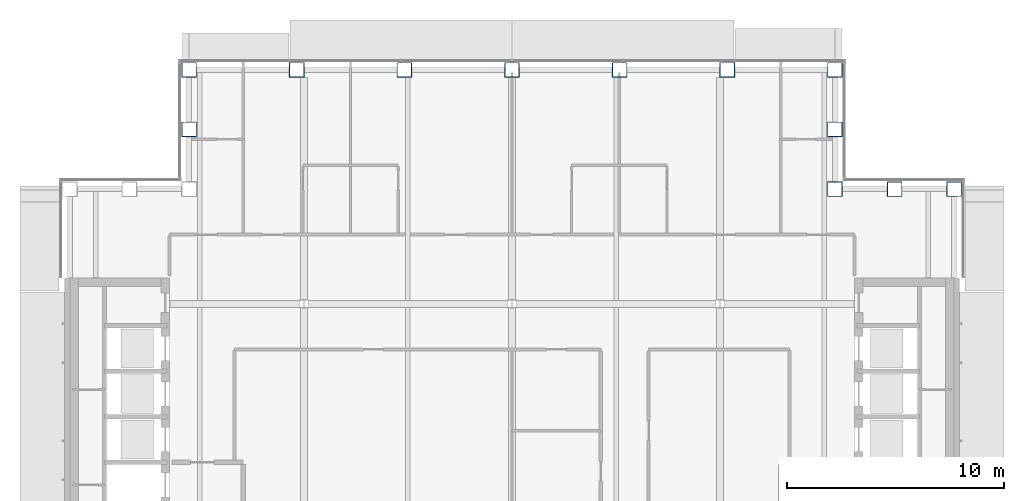
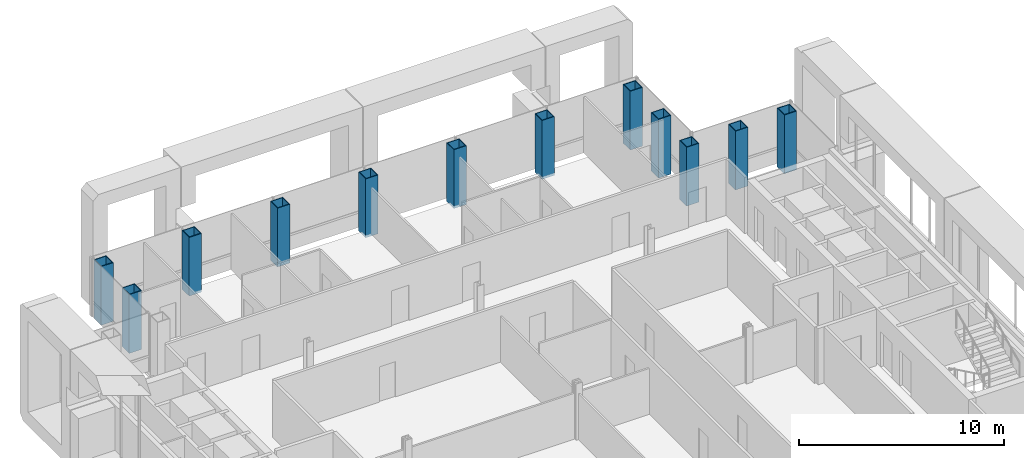
# One storey, part 2 of 19: 12 columns.
"""IFC4 building model written with IfcOpenShell, lengths in metres."""

from ifc_helpers import new_model, si_unit, direction, frame, origin, origin_2d, place, context, subcontext, project, spatial, hollow_rectangle, extrude, material, material_profile, profile_set, type_object, element, save


model = new_model("IFC4")

# Units and contexts
model_context = context("Model", 3, precision=1e-05, world=origin(), true_north=direction((0.0, 1.0)))
body_context = subcontext(model_context, "Body", "Model", "MODEL_VIEW")
ifc_project = project(units=[si_unit("LENGTHUNIT", "METRE"), si_unit("AREAUNIT", "SQUARE_METRE"), si_unit("VOLUMEUNIT", "CUBIC_METRE"), si_unit("PLANEANGLEUNIT", "RADIAN"), si_unit("MASSUNIT", "GRAM", prefix="KILO")], contexts=[model_context])

# Site, building, storey
site_placement = place(None, origin())
site = spatial("IfcSite", under=ifc_project, at=site_placement, CompositionType="ELEMENT")
building_placement = place(site_placement, origin())
building = spatial("IfcBuilding", under=site, at=building_placement, Name="Cobrizo Arcos Hotel Tower", CompositionType="ELEMENT")
storey_placement = place(building_placement, frame((0.0, 0.0, 205.0)))
storey = spatial("IfcBuildingStorey", under=building, at=storey_placement, Name="L53", CompositionType="ELEMENT", Elevation=205.0)

# Columns
ifc_material = material(Name="Steel ASTM A572 Grade 50", Category="steel")
ifc_material_profile = material_profile(ifc_material, hollow_rectangle(XDim=0.699951171875, YDim=0.699951171875, WallThickness=0.0400390625, at=origin_2d()), Name="BOX 700X700X40")
ifc_profile_set = profile_set([ifc_material_profile], Name="Steel ASTM A572 Grade 50")
column_type = type_object("IfcColumnType", Name="BOX 700X700X40 column", PredefinedType="COLUMN", material=ifc_profile_set)
for number, where, z_axis, x_axis, name in (
    (1, (-14.89990234375, 20.39990234375, -0.14990234375), (0.0, 0.0, 1.0), (1.0, 0.0, 0.0), "Perimeter column C10, L53, no. 00"),
    (2, (-9.93310546875, 20.39990234375, -0.14990234375), (0.0, 0.0, 1.0), (1.0, 0.0, 0.0), "Perimeter column C10, L53, no. 02"),
    (3, (-4.967041015625, 20.39990234375, -0.14990234375), (0.0, 0.0, 1.0), (1.0, 0.0, 0.0), "Perimeter column C10, L53, no. 04"),
    (4, (0.0, 20.39990234375, -0.14990234375), (0.0, 0.0, 1.0), (1.0, 0.0, 0.0), "Perimeter column C10, L53, no. 06"),
    (5, (4.967041015625, 20.39990234375, -0.14990234375), (0.0, 0.0, 1.0), (1.0, 0.0, 0.0), "Perimeter column C10, L53, no. 08"),
    (6, (9.93310546875, 20.39990234375, -0.14990234375), (0.0, 0.0, 1.0), (1.0, 0.0, 0.0), "Perimeter column C10, L53, no. 10"),
    (7, (14.89990234375, 20.39990234375, -0.14990234375), (0.0, 0.0, 1.0), (1.0, 0.0, 0.0), "Perimeter column C10, L53, no. 12"),
    (8, (20.39990234375, 14.89990234375, -0.14990234375), (0.0, 0.0, 1.0), (1.0, 0.0, 0.0), "Perimeter column C10, L53, no. 16"),
    (9, (-14.89990234375, 17.64990234375, -0.14990234375), (0.0, 0.0, 1.0), (1.0, 0.0, 0.0), "Perimeter column C10, L53, no. 22"),
    (10, (14.89990234375, 14.89990234375, -0.14990234375), (0.0, 0.0, 1.0), (1.0, 0.0, 0.0), "Perimeter column C10, L53, no. 27"),
    (11, (14.89990234375, 17.64990234375, -0.14990234375), (0.0, 0.0, 1.0), (1.0, 0.0, 0.0), "Perimeter column C10, L53, no. 28"),
    (12, (17.64990234375, 14.89990234375, -0.14990234375), (0.0, 0.0, 1.0), (1.0, 0.0, 0.0), "Perimeter column C10, L53, no. 29"),
):
    element("IfcColumn", number, at=place(storey_placement, frame(where, z_axis=z_axis, x_axis=x_axis)), inside=storey, type_object=column_type, Name=name, PredefinedType="COLUMN", context=body_context, shape_type="SweptSolid", body=[
        extrude(hollow_rectangle(XDim=0.699951171875, YDim=0.699951171875, WallThickness=0.0400390625, at=origin_2d()), origin(), (0.0, 0.0, 1.0), 3.5),
    ])

save(model, "model.ifc")
